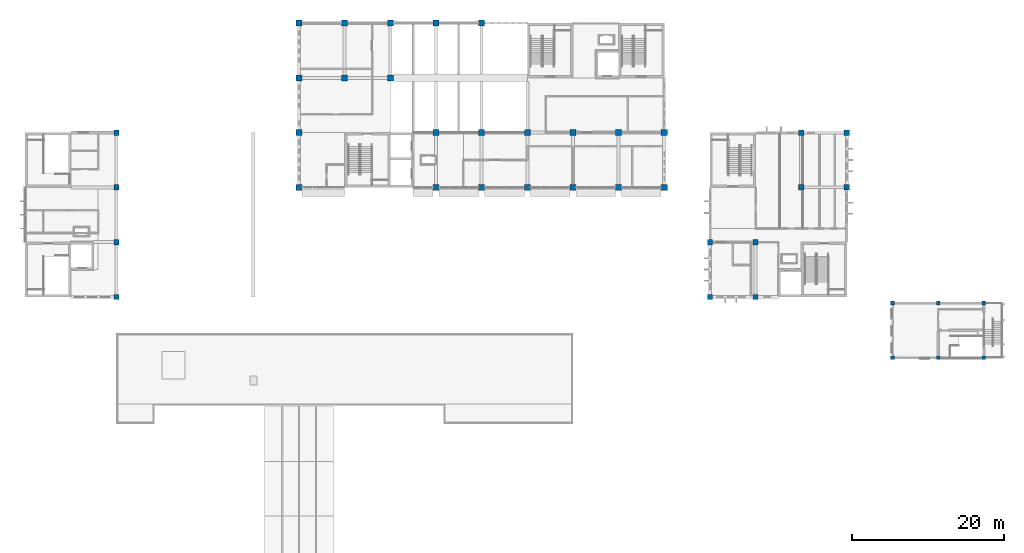
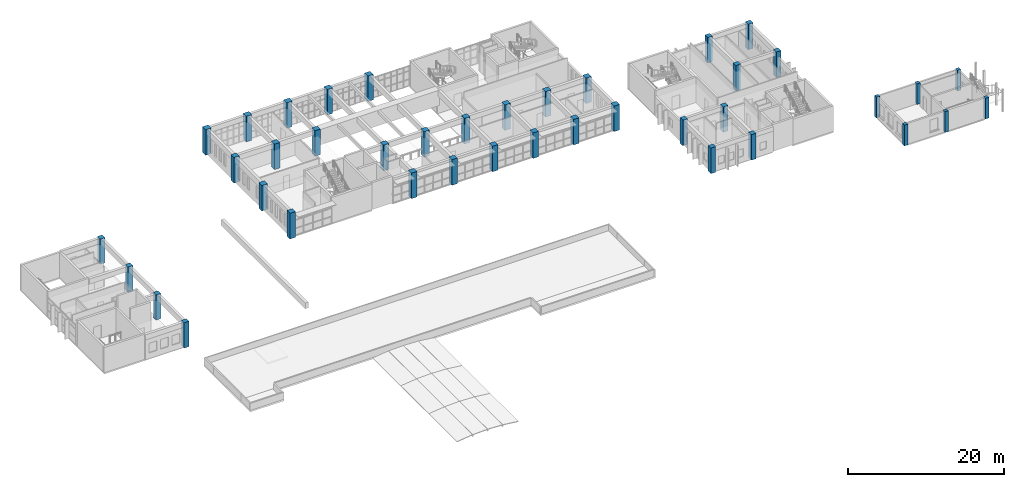
# One storey, part 1 of 47: 40 columns.
"""IFC4 building model written with IfcOpenShell, lengths in metres."""

from ifc_helpers import new_model, si_unit, direction, frame, origin, origin_2d, place, context, subcontext, project, spatial, rectangle, extrude, material, material_profile, profile_set, type_object, element, save


model = new_model("IFC4")

# Units and contexts
model_context = context("Model", 3, precision=1e-05, world=origin(), true_north=direction((0.0, 1.0)))
body_context = subcontext(model_context, "Body", "Model", "MODEL_VIEW")
ifc_project = project(units=[si_unit("LENGTHUNIT", "METRE"), si_unit("AREAUNIT", "SQUARE_METRE"), si_unit("VOLUMEUNIT", "CUBIC_METRE"), si_unit("PLANEANGLEUNIT", "RADIAN"), si_unit("MASSUNIT", "GRAM", prefix="KILO")], contexts=[model_context])

# Site, building, storey
site_placement = place(None, origin())
site = spatial("IfcSite", under=ifc_project, at=site_placement, CompositionType="ELEMENT")
building_placement = place(site_placement, origin())
building = spatial("IfcBuilding", under=site, at=building_placement, Name="Laocheng Heights Fire and Rescue Headquarters", CompositionType="ELEMENT")
storey_placement = place(building_placement, frame((0.0, 0.0, 16.800048828125)))
storey = spatial("IfcBuildingStorey", under=building, at=storey_placement, Name="L04", CompositionType="ELEMENT", Elevation=16.800048828125)

# Columns
ifc_material_1 = material(Name="Concrete C40", Category="concrete")
ifc_material_profile_1 = material_profile(ifc_material_1, rectangle(XDim=0.5, YDim=0.5, at=origin_2d()), Name="RC COLUMN 500x500 C40 DRILL TOWER")
ifc_profile_set_1 = profile_set([ifc_material_profile_1], Name="Concrete C40")
column_type_1 = type_object("IfcColumnType", Name="RC COLUMN 500x500 C40 DRILL TOWER", PredefinedType="COLUMN", material=ifc_profile_set_1)
for number, where, z_axis, x_axis, name in (
    (1, (114.0, 28.0, 0.699951171875), (0.0, 0.0, 1.0), (1.0, 0.0, 0.0), "Drill tower column F6 114/28"),
    (2, (120.0, 28.0, 0.699951171875), (0.0, 0.0, 1.0), (1.0, 0.0, 0.0), "Drill tower column F6 120/28"),
    (3, (126.0, 28.0, 0.699951171875), (0.0, 0.0, 1.0), (1.0, 0.0, 0.0), "Drill tower column F6 126/28"),
    (4, (114.0, 35.199951171875, 0.699951171875), (0.0, 0.0, 1.0), (1.0, 0.0, 0.0), "Drill tower column F6 114/35.2"),
    (5, (120.0, 35.199951171875, 0.699951171875), (0.0, 0.0, 1.0), (1.0, 0.0, 0.0), "Drill tower column F6 120/35.2"),
    (6, (126.0, 35.199951171875, 0.699951171875), (0.0, 0.0, 1.0), (1.0, 0.0, 0.0), "Drill tower column F6 126/35.2"),
):
    element("IfcColumn", number, at=place(storey_placement, frame(where, z_axis=z_axis, x_axis=x_axis)), inside=storey, type_object=column_type_1, Name=name, PredefinedType="COLUMN", context=body_context, shape_type="SweptSolid", body=[
        extrude(rectangle(XDim=0.5, YDim=0.5, at=origin_2d()), origin(), (0.0, 0.0, 1.0), 3.25),
    ])
ifc_material_2 = material(Name="Concrete C40", Category="concrete")
ifc_material_profile_2 = material_profile(ifc_material_2, rectangle(XDim=0.699951171875, YDim=0.699951171875, at=origin_2d()), Name="RC COLUMN 700x700 C40 CREW")
ifc_profile_set_2 = profile_set([ifc_material_profile_2], Name="Concrete C40")
column_type_2 = type_object("IfcColumnType", Name="RC COLUMN 700x700 C40 CREW", PredefinedType="COLUMN", material=ifc_profile_set_2)
for number, where, z_axis, x_axis, name in (
    (7, (90.0, 36.0, 0.0), (0.0, 0.0, 1.0), (1.0, 0.0, 0.0), "Crew column L04 90/36"),
    (8, (96.0, 36.0, 0.0), (0.0, 0.0, 1.0), (1.0, 0.0, 0.0), "Crew column L04 96/36"),
    (9, (90.0, 43.199951171875, 0.0), (0.0, 0.0, 1.0), (1.0, 0.0, 0.0), "Crew column L04 90/43.2"),
    (10, (96.0, 43.199951171875, 0.0), (0.0, 0.0, 1.0), (1.0, 0.0, 0.0), "Crew column L04 96/43.2"),
    (11, (102.0, 50.39990234375, 0.0), (0.0, 0.0, 1.0), (1.0, 0.0, 0.0), "Crew column L04 102/50.4"),
    (12, (108.0, 50.39990234375, 0.0), (0.0, 0.0, 1.0), (1.0, 0.0, 0.0), "Crew column L04 108/50.4"),
    (13, (102.0, 57.60009765625, 0.0), (0.0, 0.0, 1.0), (1.0, 0.0, 0.0), "Crew column L04 102/57.6"),
    (14, (108.0, 57.60009765625, 0.0), (0.0, 0.0, 1.0), (1.0, 0.0, 0.0), "Crew column L04 108/57.6"),
):
    element("IfcColumn", number, at=place(storey_placement, frame(where, z_axis=z_axis, x_axis=x_axis)), inside=storey, type_object=column_type_2, Name=name, PredefinedType="COLUMN", context=body_context, shape_type="SweptSolid", body=[
        extrude(rectangle(XDim=0.699951171875, YDim=0.699951171875, at=origin_2d()), origin(), (0.0, 0.0, 1.0), 4.0),
    ])
ifc_material_3 = material(Name="Concrete C40", Category="concrete")
ifc_material_profile_3 = material_profile(ifc_material_3, rectangle(XDim=0.699951171875, YDim=0.699951171875, at=origin_2d()), Name="RC COLUMN 700x700 C40 FOYER")
ifc_profile_set_3 = profile_set([ifc_material_profile_3], Name="Concrete C40")
column_type_3 = type_object("IfcColumnType", Name="RC COLUMN 700x700 C40 FOYER", PredefinedType="COLUMN", material=ifc_profile_set_3)
for number, where, z_axis, x_axis, name in (
    (15, (12.0, 36.0, 0.0), (0.0, 0.0, 1.0), (1.0, 0.0, 0.0), "Foyer column L04 12/36"),
    (16, (12.0, 43.199951171875, 0.0), (0.0, 0.0, 1.0), (1.0, 0.0, 0.0), "Foyer column L04 12/43.2"),
    (17, (12.0, 50.39990234375, 0.0), (0.0, 0.0, 1.0), (1.0, 0.0, 0.0), "Foyer column L04 12/50.4"),
    (18, (12.0, 57.60009765625, 0.0), (0.0, 0.0, 1.0), (1.0, 0.0, 0.0), "Foyer column L04 12/57.6"),
):
    element("IfcColumn", number, at=place(storey_placement, frame(where, z_axis=z_axis, x_axis=x_axis)), inside=storey, type_object=column_type_3, Name=name, PredefinedType="COLUMN", context=body_context, shape_type="SweptSolid", body=[
        extrude(rectangle(XDim=0.699951171875, YDim=0.699951171875, at=origin_2d()), origin(), (0.0, 0.0, 1.0), 3.949951171875),
    ])
ifc_material_4 = material(Name="Concrete C40", Category="concrete")
ifc_material_profile_4 = material_profile(ifc_material_4, rectangle(XDim=0.800048828125, YDim=0.800048828125, at=origin_2d()), Name="RC COLUMN 800x800 C40 HQ")
ifc_profile_set_4 = profile_set([ifc_material_profile_4], Name="Concrete C40")
column_type_4 = type_object("IfcColumnType", Name="RC COLUMN 800x800 C40 HQ", PredefinedType="COLUMN", material=ifc_profile_set_4)
for number, where, z_axis, x_axis, name in (
    (19, (36.0, 50.39990234375, 0.0), (0.0, 0.0, 1.0), (1.0, 0.0, 0.0), "HQ column L04 36/50.4"),
    (20, (54.0, 50.39990234375, 0.0), (0.0, 0.0, 1.0), (1.0, 0.0, 0.0), "HQ column L04 54/50.4"),
    (21, (60.0, 50.39990234375, 0.0), (0.0, 0.0, 1.0), (1.0, 0.0, 0.0), "HQ column L04 60/50.4"),
    (22, (66.0, 50.39990234375, 0.0), (0.0, 0.0, 1.0), (1.0, 0.0, 0.0), "HQ column L04 66/50.4"),
    (23, (72.0, 50.39990234375, 0.0), (0.0, 0.0, 1.0), (1.0, 0.0, 0.0), "HQ column L04 72/50.4"),
    (24, (78.0, 50.39990234375, 0.0), (0.0, 0.0, 1.0), (1.0, 0.0, 0.0), "HQ column L04 78/50.4"),
    (25, (84.0, 50.39990234375, 0.0), (0.0, 0.0, 1.0), (1.0, 0.0, 0.0), "HQ column L04 84/50.4"),
    (26, (36.0, 57.60009765625, 0.0), (0.0, 0.0, 1.0), (1.0, 0.0, 0.0), "HQ column L04 36/57.6"),
    (27, (54.0, 57.60009765625, 0.0), (0.0, 0.0, 1.0), (1.0, 0.0, 0.0), "HQ column L04 54/57.6"),
    (28, (60.0, 57.60009765625, 0.0), (0.0, 0.0, 1.0), (1.0, 0.0, 0.0), "HQ column L04 60/57.6"),
    (29, (66.0, 57.60009765625, 0.0), (0.0, 0.0, 1.0), (1.0, 0.0, 0.0), "HQ column L04 66/57.6"),
    (30, (72.0, 57.60009765625, 0.0), (0.0, 0.0, 1.0), (1.0, 0.0, 0.0), "HQ column L04 72/57.6"),
    (31, (78.0, 57.60009765625, 0.0), (0.0, 0.0, 1.0), (1.0, 0.0, 0.0), "HQ column L04 78/57.6"),
    (32, (84.0, 57.60009765625, 0.0), (0.0, 0.0, 1.0), (1.0, 0.0, 0.0), "HQ column L04 84/57.6"),
    (33, (36.0, 64.800048828125, 0.0), (0.0, 0.0, 1.0), (1.0, 0.0, 0.0), "HQ column L04 36/64.8"),
    (34, (42.0, 64.800048828125, 0.0), (0.0, 0.0, 1.0), (1.0, 0.0, 0.0), "HQ column L04 42/64.8"),
    (35, (48.0, 64.800048828125, 0.0), (0.0, 0.0, 1.0), (1.0, 0.0, 0.0), "HQ column L04 48/64.8"),
    (36, (36.0, 72.0, 0.0), (0.0, 0.0, 1.0), (1.0, 0.0, 0.0), "HQ column L04 36/72"),
    (37, (42.0, 72.0, 0.0), (0.0, 0.0, 1.0), (1.0, 0.0, 0.0), "HQ column L04 42/72"),
    (38, (48.0, 72.0, 0.0), (0.0, 0.0, 1.0), (1.0, 0.0, 0.0), "HQ column L04 48/72"),
    (39, (54.0, 72.0, 0.0), (0.0, 0.0, 1.0), (1.0, 0.0, 0.0), "HQ column L04 54/72"),
    (40, (60.0, 72.0, 0.0), (0.0, 0.0, 1.0), (1.0, 0.0, 0.0), "HQ column L04 60/72"),
):
    element("IfcColumn", number, at=place(storey_placement, frame(where, z_axis=z_axis, x_axis=x_axis)), inside=storey, type_object=column_type_4, Name=name, PredefinedType="COLUMN", context=body_context, shape_type="SweptSolid", body=[
        extrude(rectangle(XDim=0.800048828125, YDim=0.800048828125, at=origin_2d()), origin(), (0.0, 0.0, 1.0), 4.0),
    ])

save(model, "model.ifc")
